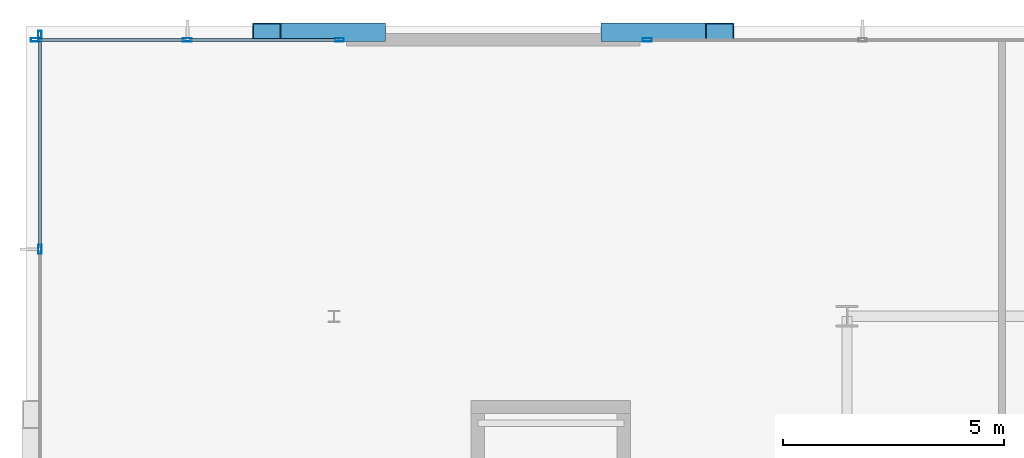
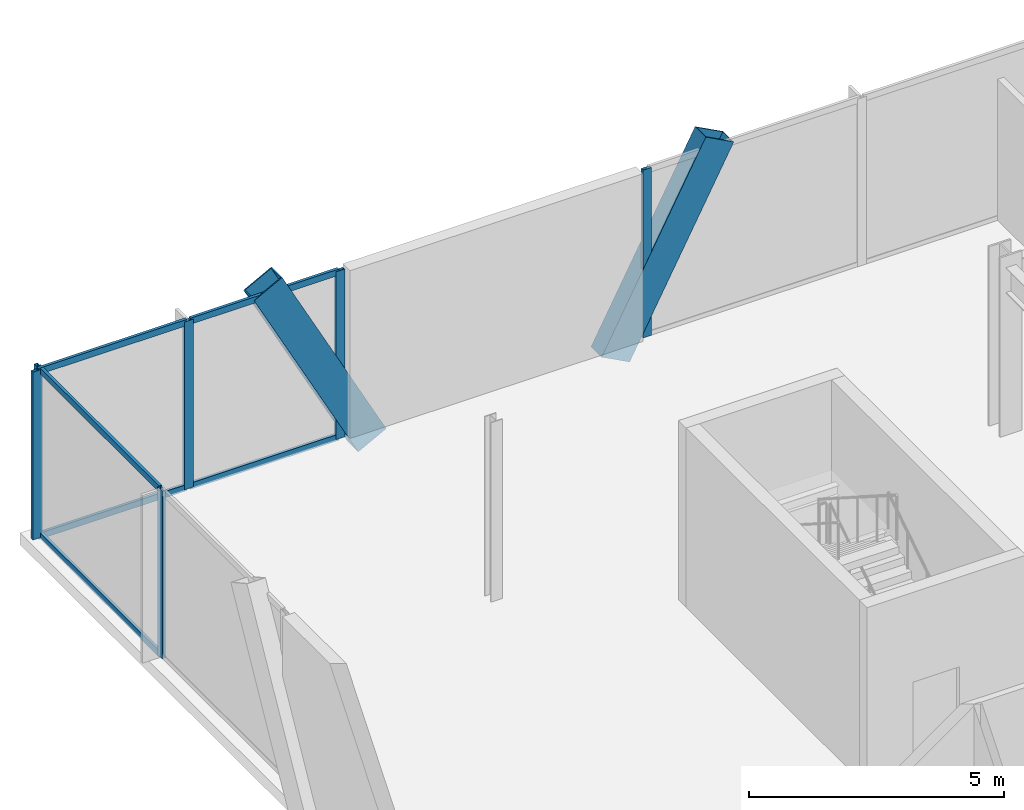
# One storey, part 25 of 42: 14 members, 3 elements without a shape of their own.
"""IFC4 building model written with IfcOpenShell, lengths in metres."""

from ifc_helpers import new_model, si_unit, direction, frame, origin, origin_2d, place, context, subcontext, project, spatial, hollow_rectangle, extrude, material, layer, layer_set, material_profile, profile_set, type_object, element, aggregate, save


model = new_model("IFC4")

# Units and contexts
model_context = context("Model", 3, precision=1e-05, world=origin(), true_north=direction((0.0, 1.0)))
body_context = subcontext(model_context, "Body", "Model", "MODEL_VIEW")
ifc_project = project(units=[si_unit("LENGTHUNIT", "METRE"), si_unit("AREAUNIT", "SQUARE_METRE"), si_unit("VOLUMEUNIT", "CUBIC_METRE"), si_unit("PLANEANGLEUNIT", "RADIAN"), si_unit("MASSUNIT", "GRAM", prefix="KILO")], contexts=[model_context])

# Site, building, storey
site_placement = place(None, origin())
site = spatial("IfcSite", under=ifc_project, at=site_placement, CompositionType="ELEMENT")
building_placement = place(site_placement, origin())
building = spatial("IfcBuilding", under=site, at=building_placement, Name="Orvanel Arch Residences", CompositionType="ELEMENT")
storey_placement = place(building_placement, frame((0.0, 0.0, 5.5)))
storey = spatial("IfcBuildingStorey", under=building, at=storey_placement, Name="L01", CompositionType="ELEMENT", Elevation=5.5)

# Members
ifc_material_1 = material(Name="Structural steel AS/NZS 3678 Grade 350", Category="steel")
ifc_material_profile_1 = material_profile(ifc_material_1, hollow_rectangle(XDim=0.419921875, YDim=0.719970703125, WallThickness=0.02490234375, at=origin_2d()), Name="RHS720x420x25")
ifc_profile_set_1 = profile_set([ifc_material_profile_1], Name="Structural steel AS/NZS 3678 Grade 350")
member_type_1 = type_object("IfcMemberType", Name="BR-720RHS-EXT", PredefinedType="BRACE", material=ifc_profile_set_1)
member_1_placement = place(storey_placement, frame((9.041015625, 54.419921875, -0.300048828125), z_axis=(-0.468698055994, 0.0, 0.883358439314), x_axis=(0.0, -1.0, 0.0)))
element("IfcMember", 1, at=member_1_placement, inside=storey, type_object=member_type_1, Name="L01 Podium Multi-Storey V-Strut Pair N1 Leg 1", PredefinedType="BRACE", context=body_context, shape_type="SweptSolid", body=[
    extrude(hollow_rectangle(XDim=0.419921875, YDim=0.719970703125, WallThickness=0.02490234375, at=origin_2d()), origin(), (0.0, 0.0, 1.0), 5.03759765625),
])
member_2_placement = place(storey_placement, frame((14.55908203125, 54.419921875, -0.300048828125), z_axis=(0.468660236955, 0.0, 0.883378504548), x_axis=(0.0, 1.0, 0.0)))
element("IfcMember", 2, at=member_2_placement, inside=storey, type_object=member_type_1, Name="L01 Podium Multi-Storey V-Strut Pair N1 Leg 2", PredefinedType="BRACE", context=body_context, shape_type="SweptSolid", body=[
    extrude(hollow_rectangle(XDim=0.419921875, YDim=0.719970703125, WallThickness=0.02490234375, at=origin_2d()), origin(), (0.0, 0.0, 1.0), 5.037353515625),
])

# Curtain wall, member
ifc_material_2 = material(Name="Bronze-anodised aluminium AA6063-T6", Category="aluminium")
ifc_layer = layer(ifc_material_2, 0.199951171875)
ifc_layer_set = layer_set([ifc_layer], Name="Bronze-anodised aluminium AA6063-T6")
curtain_wall_type = type_object("IfcCurtainWallType", Name="CW1-POD-SYS", PredefinedType="NOTDEFINED", material=ifc_layer_set)
curtain_wall_1_placement = place(storey_placement, origin())
curtain_wall_1 = element("IfcCurtainWall", 3, at=curtain_wall_1_placement, inside=storey, type_object=curtain_wall_type, Name="L01 CW1-POD-SYS Unitised Curtain Wall", PredefinedType="NOTDEFINED")
ifc_material_profile_2 = material_profile(ifc_material_2, hollow_rectangle(XDim=0.074951171875, YDim=0.199951171875, WallThickness=0.0048828125, at=origin_2d()), Name="ALU200x75x5")
ifc_profile_set_2 = profile_set([ifc_material_profile_2], Name="Bronze-anodised aluminium AA6063-T6")
member_type_2 = type_object("IfcMemberType", Name="MUL-200x75", PredefinedType="MULLION", material=ifc_profile_set_2)
member_3_placement = place(storey_placement, frame((15.277587890625, 54.25, 0.0), z_axis=(0.0, 0.0, 1.0), x_axis=(0.0, -1.0, 0.0)))
member_3 = element("IfcMember", 4, at=member_3_placement, type_object=member_type_2, Name="CW-S1 mullion 4", PredefinedType="MULLION", context=body_context, shape_type="SweptSolid", body=[
    extrude(hollow_rectangle(XDim=0.074951171875, YDim=0.199951171875, WallThickness=0.0048828125, at=origin_2d()), origin(), (0.0, 0.0, 1.0), 4.02001953125),
])
aggregate(curtain_wall_1, [member_3])

# Curtain wall, members
curtain_wall_2_placement = place(storey_placement, origin())
curtain_wall_2 = element("IfcCurtainWall", 5, at=curtain_wall_2_placement, inside=storey, type_object=curtain_wall_type, Name="L01 CW1-POD-SYS Unitised Curtain Wall", PredefinedType="NOTDEFINED")
member_4_placement = place(storey_placement, frame((8.322509765625, 54.25, 0.0), z_axis=(0.0, 0.0, 1.0), x_axis=(0.0, -1.0, 0.0)))
member_4 = element("IfcMember", 6, at=member_4_placement, type_object=member_type_2, Name="CW-S1 mullion 1", PredefinedType="MULLION", context=body_context, shape_type="SweptSolid", body=[
    extrude(hollow_rectangle(XDim=0.074951171875, YDim=0.199951171875, WallThickness=0.0048828125, at=origin_2d()), origin(), (0.0, 0.0, 1.0), 4.02001953125),
])
member_5_placement = place(storey_placement, frame((4.885009765625, 54.25, 0.0), z_axis=(0.0, 0.0, 1.0), x_axis=(0.0, -1.0, 0.0)))
member_5 = element("IfcMember", 7, at=member_5_placement, type_object=member_type_2, Name="CW-S1 mullion 2", PredefinedType="MULLION", context=body_context, shape_type="SweptSolid", body=[
    extrude(hollow_rectangle(XDim=0.074951171875, YDim=0.199951171875, WallThickness=0.0048828125, at=origin_2d()), origin(), (0.0, 0.0, 1.0), 4.02001953125),
])
member_6_placement = place(storey_placement, frame((1.447509765625, 54.25, 0.0), z_axis=(0.0, 0.0, 1.0), x_axis=(0.0, -1.0, 0.0)))
member_6 = element("IfcMember", 8, at=member_6_placement, type_object=member_type_2, Name="CW-S1 mullion 3", PredefinedType="MULLION", context=body_context, shape_type="SweptSolid", body=[
    extrude(hollow_rectangle(XDim=0.074951171875, YDim=0.199951171875, WallThickness=0.0048828125, at=origin_2d()), origin(), (0.0, 0.0, 1.0), 4.02001953125),
])

curtain_wall_3_placement = place(storey_placement, origin())
curtain_wall_3 = element("IfcCurtainWall", 9, at=curtain_wall_3_placement, inside=storey, type_object=curtain_wall_type, Name="L01 CW1-POD-SYS Unitised Curtain Wall", PredefinedType="NOTDEFINED")
member_7_placement = place(storey_placement, frame((1.550048828125, 54.3525390625, 0.0), z_axis=(0.0, 0.0, 1.0), x_axis=(1.0, 0.0, 0.0)))
member_7 = element("IfcMember", 10, at=member_7_placement, type_object=member_type_2, Name="CW-S1 mullion 1", PredefinedType="MULLION", context=body_context, shape_type="SweptSolid", body=[
    extrude(hollow_rectangle(XDim=0.074951171875, YDim=0.199951171875, WallThickness=0.0048828125, at=origin_2d()), origin(), (0.0, 0.0, 1.0), 4.02001953125),
])
member_8_placement = place(storey_placement, frame((1.550048828125, 49.514892578125, 0.0), z_axis=(0.0, 0.0, 1.0), x_axis=(1.0, 0.0, 0.0)))
member_8 = element("IfcMember", 11, at=member_8_placement, type_object=member_type_2, Name="CW-S1 mullion 2", PredefinedType="MULLION", context=body_context, shape_type="SweptSolid", body=[
    extrude(hollow_rectangle(XDim=0.074951171875, YDim=0.199951171875, WallThickness=0.0048828125, at=origin_2d()), origin(), (0.0, 0.0, 1.0), 4.02001953125),
])

# Member
ifc_material_profile_3 = material_profile(ifc_material_2, hollow_rectangle(XDim=0.06494140625, YDim=0.14990234375, WallThickness=0.00390625, at=origin_2d()), Name="ALU150x65x4")
ifc_profile_set_3 = profile_set([ifc_material_profile_3], Name="Bronze-anodised aluminium AA6063-T6")
member_type_3 = type_object("IfcMemberType", Name="TRN-150x65", PredefinedType="USERDEFINED", material=ifc_profile_set_3)
member_9_placement = place(storey_placement, frame((8.284912109375, 54.25, 0.032470703125), z_axis=(-1.0, 0.0, 0.0), x_axis=(0.0, -1.0, 0.0)))
member_9 = element("IfcMember", 12, at=member_9_placement, type_object=member_type_3, Name="CW-S1 transom 1.1", ObjectType="TRANSOM", PredefinedType="USERDEFINED", context=body_context, shape_type="SweptSolid", body=[
    extrude(hollow_rectangle(XDim=0.06494140625, YDim=0.14990234375, WallThickness=0.00390625, at=origin_2d()), origin(), (0.0, 0.0, 1.0), 3.3623046875),
])

member_10_placement = place(storey_placement, frame((8.284912109375, 54.25, 3.987548828125), z_axis=(-1.0, 0.0, 0.0), x_axis=(0.0, -1.0, 0.0)))
member_10 = element("IfcMember", 13, at=member_10_placement, type_object=member_type_3, Name="CW-S1 transom 1.2", ObjectType="TRANSOM", PredefinedType="USERDEFINED", context=body_context, shape_type="SweptSolid", body=[
    extrude(hollow_rectangle(XDim=0.06494140625, YDim=0.14990234375, WallThickness=0.00390625, at=origin_2d()), origin(), (0.0, 0.0, 1.0), 3.3623046875),
])

member_11_placement = place(storey_placement, frame((4.847412109375, 54.25, 0.032470703125), z_axis=(-1.0, 0.0, 0.0), x_axis=(0.0, -1.0, 0.0)))
member_11 = element("IfcMember", 14, at=member_11_placement, type_object=member_type_3, Name="CW-S1 transom 2.1", ObjectType="TRANSOM", PredefinedType="USERDEFINED", context=body_context, shape_type="SweptSolid", body=[
    extrude(hollow_rectangle(XDim=0.06494140625, YDim=0.14990234375, WallThickness=0.00390625, at=origin_2d()), origin(), (0.0, 0.0, 1.0), 3.3623046875),
])

member_12_placement = place(storey_placement, frame((4.847412109375, 54.25, 3.987548828125), z_axis=(-1.0, 0.0, 0.0), x_axis=(0.0, -1.0, 0.0)))
member_12 = element("IfcMember", 15, at=member_12_placement, type_object=member_type_3, Name="CW-S1 transom 2.2", ObjectType="TRANSOM", PredefinedType="USERDEFINED", context=body_context, shape_type="SweptSolid", body=[
    extrude(hollow_rectangle(XDim=0.06494140625, YDim=0.14990234375, WallThickness=0.00390625, at=origin_2d()), origin(), (0.0, 0.0, 1.0), 3.3623046875),
])

aggregate(curtain_wall_2, [member_4, member_5, member_6, member_9, member_10, member_11, member_12])

member_13_placement = place(storey_placement, frame((1.550048828125, 54.31494140625, 0.032470703125), z_axis=(0.0, -1.0, 0.0), x_axis=(1.0, 0.0, 0.0)))
member_13 = element("IfcMember", 16, at=member_13_placement, type_object=member_type_3, Name="CW-S1 transom 1.1", ObjectType="TRANSOM", PredefinedType="USERDEFINED", context=body_context, shape_type="SweptSolid", body=[
    extrude(hollow_rectangle(XDim=0.06494140625, YDim=0.14990234375, WallThickness=0.00390625, at=origin_2d()), origin(), (0.0, 0.0, 1.0), 4.762451171875),
])

member_14_placement = place(storey_placement, frame((1.550048828125, 54.31494140625, 3.987548828125), z_axis=(0.0, -1.0, 0.0), x_axis=(1.0, 0.0, 0.0)))
member_14 = element("IfcMember", 17, at=member_14_placement, type_object=member_type_3, Name="CW-S1 transom 1.2", ObjectType="TRANSOM", PredefinedType="USERDEFINED", context=body_context, shape_type="SweptSolid", body=[
    extrude(hollow_rectangle(XDim=0.06494140625, YDim=0.14990234375, WallThickness=0.00390625, at=origin_2d()), origin(), (0.0, 0.0, 1.0), 4.762451171875),
])

aggregate(curtain_wall_3, [member_7, member_8, member_13, member_14])

save(model, "model.ifc")
